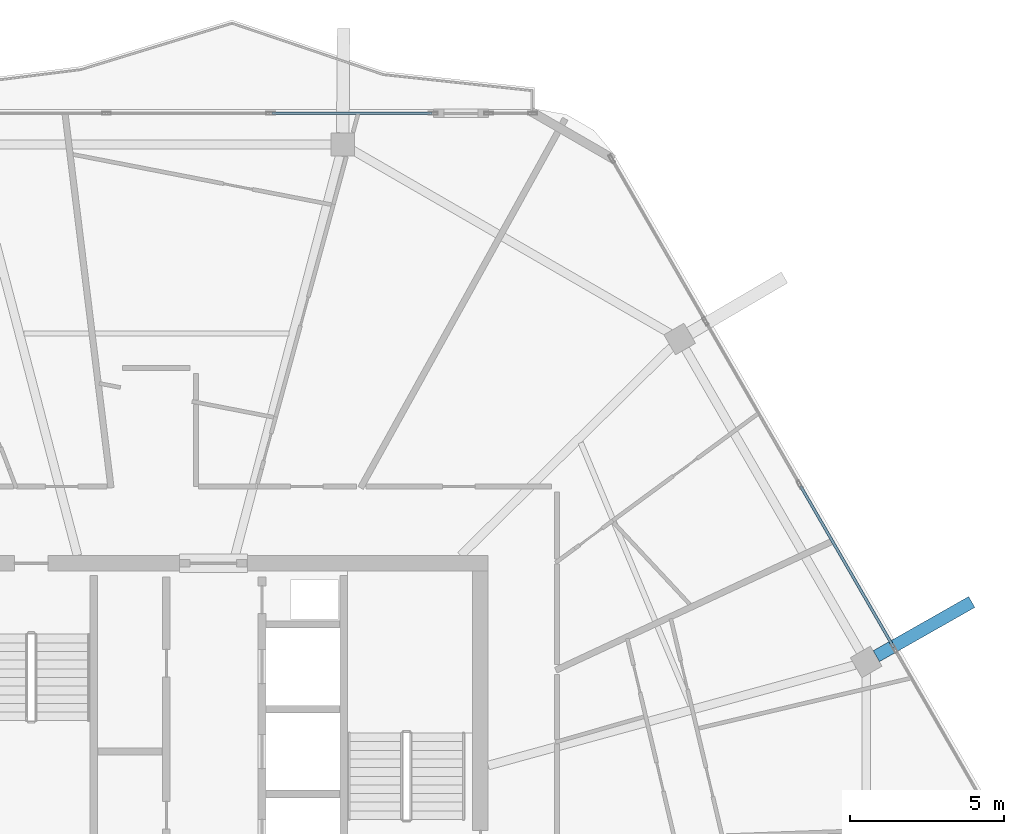
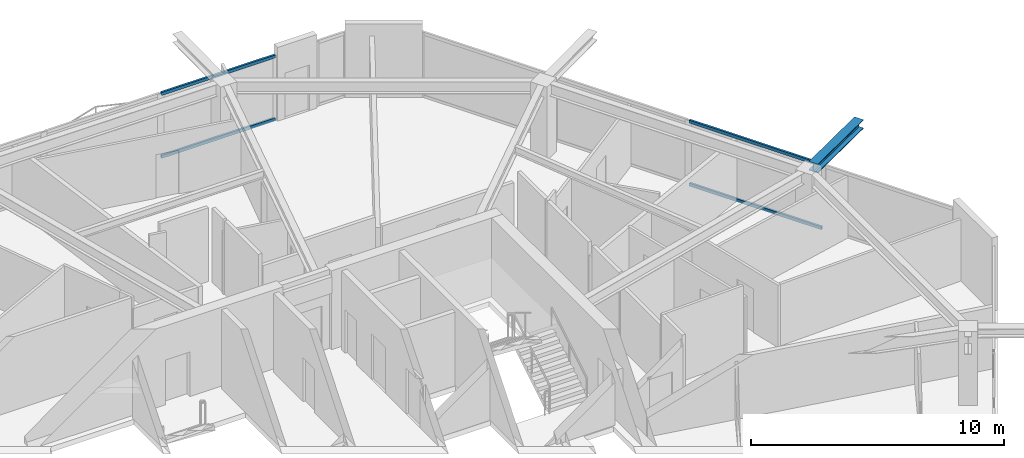
# One storey, part 12 of 21: 4 members, 1 beam, 2 elements without a shape of their own.
"""IFC4 building model written with IfcOpenShell, lengths in metres."""

from ifc_helpers import new_model, si_unit, direction, frame, origin, origin_2d, place, context, subcontext, project, spatial, hollow_rectangle, i_section, extrude, material, material_profile, profile_set, type_object, element, aggregate, save


model = new_model("IFC4")

# Units and contexts
model_context = context("Model", 3, precision=1e-05, world=origin(), true_north=direction((0.0, 1.0)))
body_context = subcontext(model_context, "Body", "Model", "MODEL_VIEW")
ifc_project = project(units=[si_unit("LENGTHUNIT", "METRE"), si_unit("AREAUNIT", "SQUARE_METRE"), si_unit("VOLUMEUNIT", "CUBIC_METRE"), si_unit("PLANEANGLEUNIT", "RADIAN"), si_unit("MASSUNIT", "GRAM", prefix="KILO")], contexts=[model_context])

# Site, building, storey
site_placement = place(None, origin())
site = spatial("IfcSite", under=ifc_project, at=site_placement, CompositionType="ELEMENT")
building_placement = place(site_placement, origin())
building = spatial("IfcBuilding", under=site, at=building_placement, Name="Zuhravey Tower", CompositionType="ELEMENT")
storey_placement = place(building_placement, frame((0.0, 0.0, 334.800048828125)))
storey = spatial("IfcBuildingStorey", under=building, at=storey_placement, Name="L85", CompositionType="ELEMENT", Elevation=334.800048828125)

# Curtain wall, members
ifc_material_1 = material(Name="Thermally broken anodised aluminium", Category="aluminium")
curtain_wall_type = type_object("IfcCurtainWallType", Name="Zone 3-4 High-Rise Curtain Wall CW4", PredefinedType="NOTDEFINED", material=ifc_material_1)
curtain_wall_1_placement = place(storey_placement, origin())
curtain_wall_1 = element("IfcCurtainWall", 1, at=curtain_wall_1_placement, inside=storey, type_object=curtain_wall_type, Name="L85 CW4 CW-L85-F2-1", PredefinedType="NOTDEFINED")
ifc_material_2 = material(Name="Anodised aluminium", Category="aluminium")
ifc_material_profile_1 = material_profile(ifc_material_2, hollow_rectangle(XDim=0.090087890625, YDim=0.14990234375, WallThickness=0.0048828125, at=origin_2d()), Name="ALU-RHS-90x150x5")
ifc_profile_set_1 = profile_set([ifc_material_profile_1], Name="Anodised aluminium")
member_type = type_object("IfcMemberType", Name="Curtain-Wall Transom 90x150", PredefinedType="USERDEFINED", material=ifc_profile_set_1)
member_1_placement = place(storey_placement, frame((39.749755859375, 56.07421875, 0.044921875), z_axis=(1.0, 0.0, 0.0), x_axis=(0.0, 1.0, 0.0)))
member_1 = element("IfcMember", 2, at=member_1_placement, type_object=member_type, Name="CW4 transom 4.1", ObjectType="TRANSOM", PredefinedType="USERDEFINED", context=body_context, shape_type="SweptSolid", body=[
    extrude(hollow_rectangle(XDim=0.090087890625, YDim=0.14990234375, WallThickness=0.0048828125, at=origin_2d()), origin(), (0.0, 0.0, 1.0), 5.179931640625),
])
member_2_placement = place(storey_placement, frame((39.749755859375, 56.07421875, 3.076904296875), z_axis=(1.0, 0.0, 0.0), x_axis=(0.0, 1.0, 0.0)))
member_2 = element("IfcMember", 3, at=member_2_placement, type_object=member_type, Name="CW4 transom 4.2", ObjectType="TRANSOM", PredefinedType="USERDEFINED", context=body_context, shape_type="SweptSolid", body=[
    extrude(hollow_rectangle(XDim=0.090087890625, YDim=0.14990234375, WallThickness=0.0048828125, at=origin_2d()), origin(), (0.0, 0.0, 1.0), 5.179931640625),
])
aggregate(curtain_wall_1, [member_1, member_2])

curtain_wall_2_placement = place(storey_placement, origin())
curtain_wall_2 = element("IfcCurtainWall", 4, at=curtain_wall_2_placement, inside=storey, type_object=curtain_wall_type, Name="L85 CW4 CW-L85-F1-1", PredefinedType="NOTDEFINED")
member_3_placement = place(storey_placement, frame((56.871337890625, 43.998046875, 0.044921875), z_axis=(0.499988837749, -0.866031848217, 0.0), x_axis=(0.866031848217, 0.499988837749, 0.0)))
member_3 = element("IfcMember", 5, at=member_3_placement, type_object=member_type, Name="CW4 transom 3.1", ObjectType="TRANSOM", PredefinedType="USERDEFINED", context=body_context, shape_type="SweptSolid", body=[
    extrude(hollow_rectangle(XDim=0.090087890625, YDim=0.14990234375, WallThickness=0.0048828125, at=origin_2d()), origin(), (0.0, 0.0, 1.0), 6.029541015625),
])
member_4_placement = place(storey_placement, frame((56.871337890625, 43.998046875, 3.076904296875), z_axis=(0.499988837749, -0.866031848217, 0.0), x_axis=(0.866031848217, 0.499988837749, 0.0)))
member_4 = element("IfcMember", 6, at=member_4_placement, type_object=member_type, Name="CW4 transom 3.2", ObjectType="TRANSOM", PredefinedType="USERDEFINED", context=body_context, shape_type="SweptSolid", body=[
    extrude(hollow_rectangle(XDim=0.090087890625, YDim=0.14990234375, WallThickness=0.0048828125, at=origin_2d()), origin(), (0.0, 0.0, 1.0), 6.029541015625),
])
aggregate(curtain_wall_2, [member_3, member_4])

# Beam
ifc_material_3 = material(Name="Steel SM460", Category="steel")
ifc_material_profile_2 = material_profile(ifc_material_3, i_section(OverallWidth=0.406982421875, OverallDepth=0.427978515625, WebThickness=0.02001953125, FlangeThickness=0.034912109375, at=origin_2d()), Name="H-428x407x20x35")
ifc_profile_set_2 = profile_set([ifc_material_profile_2], Name="Steel SM460")
beam_type = type_object("IfcBeamType", Name="Exoskeleton Node Tie Beam H428x407", PredefinedType="BEAM", material=ifc_profile_set_2)
beam_placement = place(storey_placement, frame((59.322998046875, 38.489501953125, 3.3359375), z_axis=(0.869638118988, 0.4936897224, 0.0), x_axis=(-0.4936897224, 0.869638118988, 0.0)))
element("IfcBeam", 7, at=beam_placement, inside=storey, type_object=beam_type, Name="L85 Exoskeleton Node Tie NT1-01", PredefinedType="BEAM", context=body_context, shape_type="SweptSolid", body=[
    extrude(i_section(OverallWidth=0.406982421875, OverallDepth=0.427978515625, WebThickness=0.02001953125, FlangeThickness=0.034912109375, at=origin_2d()), origin(), (0.0, 0.0, 1.0), 3.55615234375),
])

save(model, "model.ifc")
